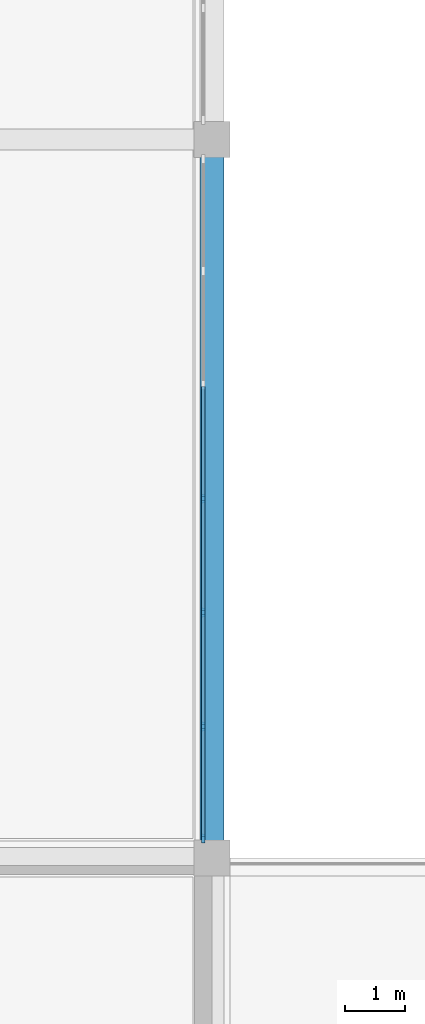
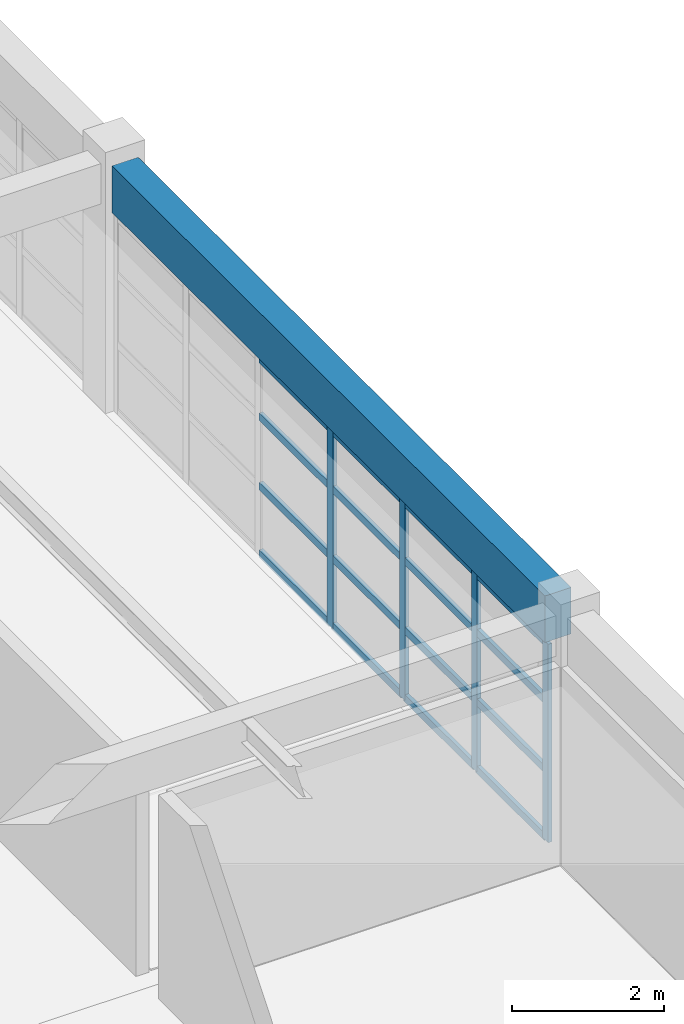
# One storey, part 3 of 28: 20 members, 1 beam, 1 element without a shape of its own.
"""IFC4 building model written with IfcOpenShell, lengths in metres."""

from ifc_helpers import new_model, si_unit, direction, frame, origin, origin_2d, place, context, subcontext, project, spatial, rectangle, extrude, material, layer, layer_set, material_profile, profile_set, type_object, element, aggregate, save


model = new_model("IFC4")

# Units and contexts
model_context = context("Model", 3, precision=1e-05, world=origin(), true_north=direction((0.0, 1.0)))
body_context = subcontext(model_context, "Body", "Model", "MODEL_VIEW")
ifc_project = project(units=[si_unit("LENGTHUNIT", "METRE"), si_unit("AREAUNIT", "SQUARE_METRE"), si_unit("VOLUMEUNIT", "CUBIC_METRE"), si_unit("PLANEANGLEUNIT", "RADIAN"), si_unit("MASSUNIT", "GRAM", prefix="KILO")], contexts=[model_context])

# Site, building, storey
site_placement = place(None, origin())
site = spatial("IfcSite", under=ifc_project, at=site_placement, CompositionType="ELEMENT")
building_placement = place(site_placement, origin())
building = spatial("IfcBuilding", under=site, at=building_placement, Name="Kivolera Central Railway Station", CompositionType="ELEMENT")
storey_placement = place(building_placement, frame((0.0, 0.0, 18.60009765625)))
storey = spatial("IfcBuildingStorey", under=building, at=storey_placement, Name="L04", CompositionType="ELEMENT", Elevation=18.60009765625)

# Beam
ifc_material_1 = material(Name="Concrete C40/50", Category="concrete")
ifc_material_profile_1 = material_profile(ifc_material_1, rectangle(XDim=0.39990234375, YDim=0.75, at=origin_2d()), Name="RC 400x750")
ifc_profile_set_1 = profile_set([ifc_material_profile_1], Name="Concrete C40/50")
beam_type = type_object("IfcBeamType", Name="BM-RC-400x750", PredefinedType="BEAM", material=ifc_profile_set_1)
beam_placement = place(storey_placement, frame((138.0, 78.2919921875, 3.574951171875), z_axis=(0.0, 1.0, 0.0), x_axis=(-1.0, 0.0, 0.0)))
element("IfcBeam", 1, at=beam_placement, inside=storey, type_object=beam_type, Name="L04 Wing Y-Beam 14:G-H", PredefinedType="BEAM", context=body_context, shape_type="SweptSolid", body=[
    extrude(rectangle(XDim=0.39990234375, YDim=0.75, at=origin_2d()), origin(), (0.0, 0.0, 1.0), 11.416015625),
])

# Curtain wall, members
ifc_material_2 = material(Name="Anodised aluminium", Category="aluminium")
ifc_layer = layer(ifc_material_2, 0.179931640625, Name="Anodised aluminium")
ifc_layer_set = layer_set([ifc_layer], Name="Anodised aluminium")
curtain_wall_type = type_object("IfcCurtainWallType", Name="CW-SYS-32", PredefinedType="NOTDEFINED", material=ifc_layer_set)
curtain_wall_placement = place(storey_placement, origin())
curtain_wall = element("IfcCurtainWall", 2, at=curtain_wall_placement, inside=storey, type_object=curtain_wall_type, Name="L04 Curtain Wall CW-L04-CRTW-G", PredefinedType="NOTDEFINED")
ifc_material_profile_2 = material_profile(ifc_material_2, rectangle(XDim=0.06005859375, YDim=0.14990234375, at=origin_2d()), Name="ALU MULL 60x150")
ifc_profile_set_2 = profile_set([ifc_material_profile_2], Name="Anodised aluminium")
member_type_1 = type_object("IfcMemberType", Name="CWM-MUL-2", PredefinedType="MULLION", material=ifc_profile_set_2)
member_1_placement = place(storey_placement, frame((137.85498046875, 84.0, -0.005126953125), z_axis=(0.0, 0.0, 1.0), x_axis=(1.0, 0.0, 0.0)))
member_1 = element("IfcMember", 3, at=member_1_placement, type_object=member_type_1, Name="CW-32 mullion 4", PredefinedType="MULLION", context=body_context, shape_type="SweptSolid", body=[
    extrude(rectangle(XDim=0.06005859375, YDim=0.14990234375, at=origin_2d()), origin(), (0.0, 0.0, 1.0), 3.193115234375),
])
member_2_placement = place(storey_placement, frame((137.85498046875, 82.098388671875, -0.005126953125), z_axis=(0.0, 0.0, 1.0), x_axis=(1.0, 0.0, 0.0)))
member_2 = element("IfcMember", 4, at=member_2_placement, type_object=member_type_1, Name="CW-32 mullion 5", PredefinedType="MULLION", context=body_context, shape_type="SweptSolid", body=[
    extrude(rectangle(XDim=0.06005859375, YDim=0.14990234375, at=origin_2d()), origin(), (0.0, 0.0, 1.0), 3.193115234375),
])
member_3_placement = place(storey_placement, frame((137.85498046875, 80.19677734375, -0.005126953125), z_axis=(0.0, 0.0, 1.0), x_axis=(1.0, 0.0, 0.0)))
member_3 = element("IfcMember", 5, at=member_3_placement, type_object=member_type_1, Name="CW-32 mullion 6", PredefinedType="MULLION", context=body_context, shape_type="SweptSolid", body=[
    extrude(rectangle(XDim=0.06005859375, YDim=0.14990234375, at=origin_2d()), origin(), (0.0, 0.0, 1.0), 3.193115234375),
])
member_4_placement = place(storey_placement, frame((137.85498046875, 78.324951171875, -0.005126953125), z_axis=(0.0, 0.0, 1.0), x_axis=(1.0, 0.0, 0.0)))
member_4 = element("IfcMember", 6, at=member_4_placement, type_object=member_type_1, Name="CW-32 mullion 7", PredefinedType="MULLION", context=body_context, shape_type="SweptSolid", body=[
    extrude(rectangle(XDim=0.06005859375, YDim=0.14990234375, at=origin_2d()), origin(), (0.0, 0.0, 1.0), 3.193115234375),
])
ifc_material_profile_3 = material_profile(ifc_material_2, rectangle(XDim=0.06005859375, YDim=0.1201171875, at=origin_2d()), Name="ALU TRAN 60x120")
ifc_profile_set_3 = profile_set([ifc_material_profile_3], Name="Anodised aluminium")
member_type_2 = type_object("IfcMemberType", Name="CWM-TRN-2", PredefinedType="USERDEFINED", material=ifc_profile_set_3)
member_5_placement = place(storey_placement, frame((137.85498046875, 85.87158203125, 0.02978515625), z_axis=(0.0, -1.0, 0.0), x_axis=(1.0, 0.0, 0.0)))
member_5 = element("IfcMember", 7, at=member_5_placement, type_object=member_type_2, Name="CW-32 transom 3.1", ObjectType="TRANSOM", PredefinedType="USERDEFINED", context=body_context, shape_type="SweptSolid", body=[
    extrude(rectangle(XDim=0.06005859375, YDim=0.1201171875, at=origin_2d()), origin(), (0.0, 0.0, 1.0), 1.841552734375),
])
member_6_placement = place(storey_placement, frame((137.85498046875, 85.87158203125, 1.11572265625), z_axis=(0.0, -1.0, 0.0), x_axis=(1.0, 0.0, 0.0)))
member_6 = element("IfcMember", 8, at=member_6_placement, type_object=member_type_2, Name="CW-32 transom 3.2", ObjectType="TRANSOM", PredefinedType="USERDEFINED", context=body_context, shape_type="SweptSolid", body=[
    extrude(rectangle(XDim=0.06005859375, YDim=0.1201171875, at=origin_2d()), origin(), (0.0, 0.0, 1.0), 1.841552734375),
])
member_7_placement = place(storey_placement, frame((137.85498046875, 85.87158203125, 2.2314453125), z_axis=(0.0, -1.0, 0.0), x_axis=(1.0, 0.0, 0.0)))
member_7 = element("IfcMember", 9, at=member_7_placement, type_object=member_type_2, Name="CW-32 transom 3.3", ObjectType="TRANSOM", PredefinedType="USERDEFINED", context=body_context, shape_type="SweptSolid", body=[
    extrude(rectangle(XDim=0.06005859375, YDim=0.1201171875, at=origin_2d()), origin(), (0.0, 0.0, 1.0), 1.841552734375),
])
member_8_placement = place(storey_placement, frame((137.85498046875, 85.87158203125, 3.157958984375), z_axis=(0.0, -1.0, 0.0), x_axis=(1.0, 0.0, 0.0)))
member_8 = element("IfcMember", 10, at=member_8_placement, type_object=member_type_2, Name="CW-32 transom 3.4", ObjectType="TRANSOM", PredefinedType="USERDEFINED", context=body_context, shape_type="SweptSolid", body=[
    extrude(rectangle(XDim=0.06005859375, YDim=0.1201171875, at=origin_2d()), origin(), (0.0, 0.0, 1.0), 1.841552734375),
])
member_9_placement = place(storey_placement, frame((137.85498046875, 83.969970703125, 0.02978515625), z_axis=(0.0, -1.0, 0.0), x_axis=(1.0, 0.0, 0.0)))
member_9 = element("IfcMember", 11, at=member_9_placement, type_object=member_type_2, Name="CW-32 transom 4.1", ObjectType="TRANSOM", PredefinedType="USERDEFINED", context=body_context, shape_type="SweptSolid", body=[
    extrude(rectangle(XDim=0.06005859375, YDim=0.1201171875, at=origin_2d()), origin(), (0.0, 0.0, 1.0), 1.841552734375),
])
member_10_placement = place(storey_placement, frame((137.85498046875, 83.969970703125, 1.11572265625), z_axis=(0.0, -1.0, 0.0), x_axis=(1.0, 0.0, 0.0)))
member_10 = element("IfcMember", 12, at=member_10_placement, type_object=member_type_2, Name="CW-32 transom 4.2", ObjectType="TRANSOM", PredefinedType="USERDEFINED", context=body_context, shape_type="SweptSolid", body=[
    extrude(rectangle(XDim=0.06005859375, YDim=0.1201171875, at=origin_2d()), origin(), (0.0, 0.0, 1.0), 1.841552734375),
])
member_11_placement = place(storey_placement, frame((137.85498046875, 83.969970703125, 2.2314453125), z_axis=(0.0, -1.0, 0.0), x_axis=(1.0, 0.0, 0.0)))
member_11 = element("IfcMember", 13, at=member_11_placement, type_object=member_type_2, Name="CW-32 transom 4.3", ObjectType="TRANSOM", PredefinedType="USERDEFINED", context=body_context, shape_type="SweptSolid", body=[
    extrude(rectangle(XDim=0.06005859375, YDim=0.1201171875, at=origin_2d()), origin(), (0.0, 0.0, 1.0), 1.841552734375),
])
member_12_placement = place(storey_placement, frame((137.85498046875, 83.969970703125, 3.157958984375), z_axis=(0.0, -1.0, 0.0), x_axis=(1.0, 0.0, 0.0)))
member_12 = element("IfcMember", 14, at=member_12_placement, type_object=member_type_2, Name="CW-32 transom 4.4", ObjectType="TRANSOM", PredefinedType="USERDEFINED", context=body_context, shape_type="SweptSolid", body=[
    extrude(rectangle(XDim=0.06005859375, YDim=0.1201171875, at=origin_2d()), origin(), (0.0, 0.0, 1.0), 1.841552734375),
])
member_13_placement = place(storey_placement, frame((137.85498046875, 82.068359375, 0.02978515625), z_axis=(0.0, -1.0, 0.0), x_axis=(1.0, 0.0, 0.0)))
member_13 = element("IfcMember", 15, at=member_13_placement, type_object=member_type_2, Name="CW-32 transom 5.1", ObjectType="TRANSOM", PredefinedType="USERDEFINED", context=body_context, shape_type="SweptSolid", body=[
    extrude(rectangle(XDim=0.06005859375, YDim=0.1201171875, at=origin_2d()), origin(), (0.0, 0.0, 1.0), 1.841796875),
])
member_14_placement = place(storey_placement, frame((137.85498046875, 82.068359375, 1.11572265625), z_axis=(0.0, -1.0, 0.0), x_axis=(1.0, 0.0, 0.0)))
member_14 = element("IfcMember", 16, at=member_14_placement, type_object=member_type_2, Name="CW-32 transom 5.2", ObjectType="TRANSOM", PredefinedType="USERDEFINED", context=body_context, shape_type="SweptSolid", body=[
    extrude(rectangle(XDim=0.06005859375, YDim=0.1201171875, at=origin_2d()), origin(), (0.0, 0.0, 1.0), 1.841796875),
])
member_15_placement = place(storey_placement, frame((137.85498046875, 82.068359375, 2.2314453125), z_axis=(0.0, -1.0, 0.0), x_axis=(1.0, 0.0, 0.0)))
member_15 = element("IfcMember", 17, at=member_15_placement, type_object=member_type_2, Name="CW-32 transom 5.3", ObjectType="TRANSOM", PredefinedType="USERDEFINED", context=body_context, shape_type="SweptSolid", body=[
    extrude(rectangle(XDim=0.06005859375, YDim=0.1201171875, at=origin_2d()), origin(), (0.0, 0.0, 1.0), 1.841796875),
])
member_16_placement = place(storey_placement, frame((137.85498046875, 82.068359375, 3.157958984375), z_axis=(0.0, -1.0, 0.0), x_axis=(1.0, 0.0, 0.0)))
member_16 = element("IfcMember", 18, at=member_16_placement, type_object=member_type_2, Name="CW-32 transom 5.4", ObjectType="TRANSOM", PredefinedType="USERDEFINED", context=body_context, shape_type="SweptSolid", body=[
    extrude(rectangle(XDim=0.06005859375, YDim=0.1201171875, at=origin_2d()), origin(), (0.0, 0.0, 1.0), 1.841796875),
])
member_17_placement = place(storey_placement, frame((137.85498046875, 80.166748046875, 0.02978515625), z_axis=(0.0, -1.0, 0.0), x_axis=(1.0, 0.0, 0.0)))
member_17 = element("IfcMember", 19, at=member_17_placement, type_object=member_type_2, Name="CW-32 transom 6.1", ObjectType="TRANSOM", PredefinedType="USERDEFINED", context=body_context, shape_type="SweptSolid", body=[
    extrude(rectangle(XDim=0.06005859375, YDim=0.1201171875, at=origin_2d()), origin(), (0.0, 0.0, 1.0), 1.811767578125),
])
member_18_placement = place(storey_placement, frame((137.85498046875, 80.166748046875, 1.11572265625), z_axis=(0.0, -1.0, 0.0), x_axis=(1.0, 0.0, 0.0)))
member_18 = element("IfcMember", 20, at=member_18_placement, type_object=member_type_2, Name="CW-32 transom 6.2", ObjectType="TRANSOM", PredefinedType="USERDEFINED", context=body_context, shape_type="SweptSolid", body=[
    extrude(rectangle(XDim=0.06005859375, YDim=0.1201171875, at=origin_2d()), origin(), (0.0, 0.0, 1.0), 1.811767578125),
])
member_19_placement = place(storey_placement, frame((137.85498046875, 80.166748046875, 2.2314453125), z_axis=(0.0, -1.0, 0.0), x_axis=(1.0, 0.0, 0.0)))
member_19 = element("IfcMember", 21, at=member_19_placement, type_object=member_type_2, Name="CW-32 transom 6.3", ObjectType="TRANSOM", PredefinedType="USERDEFINED", context=body_context, shape_type="SweptSolid", body=[
    extrude(rectangle(XDim=0.06005859375, YDim=0.1201171875, at=origin_2d()), origin(), (0.0, 0.0, 1.0), 1.811767578125),
])
member_20_placement = place(storey_placement, frame((137.85498046875, 80.166748046875, 3.157958984375), z_axis=(0.0, -1.0, 0.0), x_axis=(1.0, 0.0, 0.0)))
member_20 = element("IfcMember", 22, at=member_20_placement, type_object=member_type_2, Name="CW-32 transom 6.4", ObjectType="TRANSOM", PredefinedType="USERDEFINED", context=body_context, shape_type="SweptSolid", body=[
    extrude(rectangle(XDim=0.06005859375, YDim=0.1201171875, at=origin_2d()), origin(), (0.0, 0.0, 1.0), 1.811767578125),
])
aggregate(curtain_wall, [member_1, member_2, member_3, member_4, member_5, member_6, member_7, member_8, member_9, member_10, member_11, member_12, member_13, member_14, member_15, member_16, member_17, member_18, member_19, member_20])

save(model, "model.ifc")
